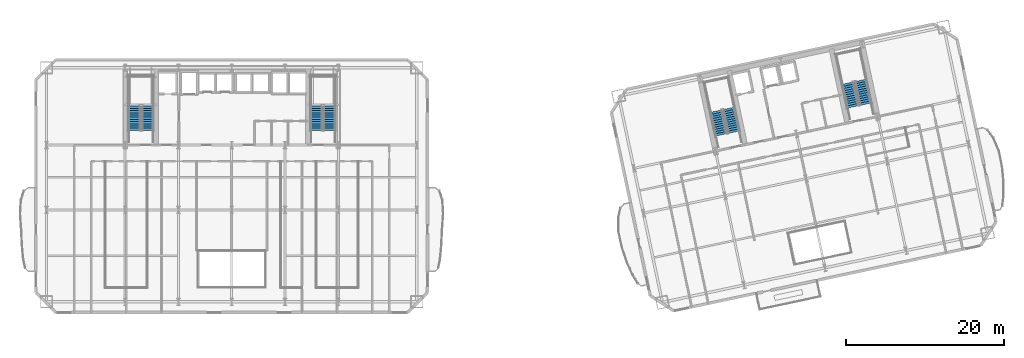
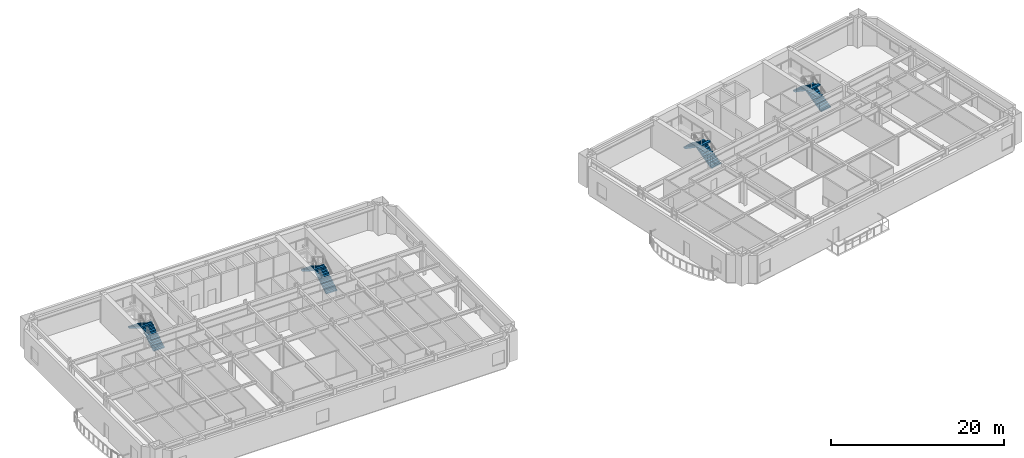
# One storey, part 10 of 15: 8 stair flights, 4 elements without a shape of their own.
"""IFC4 building model written with IfcOpenShell, lengths in metres."""

from ifc_helpers import new_model, si_unit, direction, frame, origin, place, context, subcontext, project, spatial, polyline, outline, extrude, material, type_object, element, aggregate, save


model = new_model("IFC4")

# Units and contexts
model_context = context("Model", 3, precision=1e-05, world=origin(), true_north=direction((0.0, 1.0)))
body_context = subcontext(model_context, "Body", "Model", "MODEL_VIEW")
ifc_project = project(units=[si_unit("LENGTHUNIT", "METRE"), si_unit("AREAUNIT", "SQUARE_METRE"), si_unit("VOLUMEUNIT", "CUBIC_METRE"), si_unit("PLANEANGLEUNIT", "RADIAN"), si_unit("MASSUNIT", "GRAM", prefix="KILO")], contexts=[model_context])

# Site, building, storey
site_placement = place(None, origin())
site = spatial("IfcSite", under=ifc_project, at=site_placement, CompositionType="ELEMENT")
building_placement = place(site_placement, origin())
building = spatial("IfcBuilding", under=site, at=building_placement, Name="Haevon Station Towers", CompositionType="ELEMENT")
storey_placement = place(building_placement, frame((0.0, 0.0, 73.5)))
storey = spatial("IfcBuildingStorey", under=building, at=storey_placement, Name="L19", CompositionType="ELEMENT", Elevation=73.5)

# Stair, stair flights
ifc_material = material(Name="Concrete C40/50", Category="concrete")
stair_type = type_object("IfcStairType", Name="STR-DL1450", PredefinedType="USERDEFINED", material=ifc_material)
stair_1_placement = place(storey_placement, origin())
stair_1 = element("IfcStair", 1, at=stair_1_placement, inside=storey, type_object=stair_type, Name="L19 Escape Stair ST1", ObjectType="TWO_RETURN_STAIR", PredefinedType="USERDEFINED")
stair_flight_type = type_object("IfcStairFlightType", Name="STF-ST1450", PredefinedType="STRAIGHT", material=ifc_material)
stair_flight_1_placement = place(storey_placement, frame((26.85498046875, 40.050048828125, 0.0), z_axis=(0.0, 0.0, 1.0), x_axis=(0.0, 1.0, 0.0)))
stair_flight_1 = element("IfcStairFlight", 2, at=stair_flight_1_placement, type_object=stair_flight_type, Name="L19 ST1 Flight 1", NumberOfRisers=12, NumberOfTreads=11, PredefinedType="STRAIGHT", RiserHeight=0.175, TreadLength=0.28, context=body_context, shape_type="SweptSolid", body=[
    extrude(outline(polyline([(0.0, 0.0), (0.0, 0.175048828125), (0.280029296875, 0.175048828125), (0.280029296875, 0.35009765625), (0.56005859375, 0.35009765625), (0.56005859375, 0.52490234375), (0.840087890625, 0.52490234375), (0.840087890625, 0.699951171875), (1.1201171875, 0.699951171875), (1.1201171875, 0.875), (1.39990234375, 0.875), (1.39990234375, 1.050048828125), (1.679931640625, 1.050048828125), (1.679931640625, 1.22509765625), (1.9599609375, 1.22509765625), (1.9599609375, 1.39990234375), (2.239990234375, 1.39990234375), (2.239990234375, 1.574951171875), (2.52001953125, 1.574951171875), (2.52001953125, 1.75), (2.800048828125, 1.75), (2.800048828125, 1.925048828125), (3.080078125, 1.925048828125), (3.080078125, 2.10009765625), (3.080078125, 1.736328125), (0.3017578125, 0.0), (0.0, 0.0)])), frame((0.0, 0.72509765625, 0.0), z_axis=(0.0, -1.0, 0.0), x_axis=(1.0, 0.0, 0.0)), (0.0, 0.0, 1.0), 1.449951171875),
])
stair_flight_2_placement = place(storey_placement, frame((25.205078125, 43.1298828125, 2.10009765625), z_axis=(0.0, 0.0, 1.0), x_axis=(0.0, -1.0, 0.0)))
stair_flight_2 = element("IfcStairFlight", 3, at=stair_flight_2_placement, type_object=stair_flight_type, Name="L19 ST1 Flight 2", NumberOfRisers=12, NumberOfTreads=11, PredefinedType="STRAIGHT", RiserHeight=0.175, TreadLength=0.28, context=body_context, shape_type="SweptSolid", body=[
    extrude(outline(polyline([(0.0, 0.0), (0.0, 0.175048828125), (0.280029296875, 0.175048828125), (0.280029296875, 0.35009765625), (0.56005859375, 0.35009765625), (0.56005859375, 0.52490234375), (0.840087890625, 0.52490234375), (0.840087890625, 0.699951171875), (1.1201171875, 0.699951171875), (1.1201171875, 0.875), (1.39990234375, 0.875), (1.39990234375, 1.050048828125), (1.679931640625, 1.050048828125), (1.679931640625, 1.22509765625), (1.9599609375, 1.22509765625), (1.9599609375, 1.39990234375), (2.239990234375, 1.39990234375), (2.239990234375, 1.574951171875), (2.52001953125, 1.574951171875), (2.52001953125, 1.75), (2.800048828125, 1.75), (2.800048828125, 1.925048828125), (3.080078125, 1.925048828125), (3.080078125, 2.10009765625), (3.080078125, 1.736328125), (0.3017578125, 0.0), (0.0, 0.0)])), frame((0.0, 0.72509765625, 0.0), z_axis=(0.0, -1.0, 0.0), x_axis=(1.0, 0.0, 0.0)), (0.0, 0.0, 1.0), 1.449951171875),
])
aggregate(stair_1, [stair_flight_1, stair_flight_2])

stair_2_placement = place(storey_placement, origin())
stair_2 = element("IfcStair", 4, at=stair_2_placement, inside=storey, type_object=stair_type, Name="L19 Escape Stair ST2", ObjectType="TWO_RETURN_STAIR", PredefinedType="USERDEFINED")
stair_flight_3_placement = place(storey_placement, frame((49.89501953125, 40.050048828125, 0.0), z_axis=(0.0, 0.0, 1.0), x_axis=(0.0, 1.0, 0.0)))
stair_flight_3 = element("IfcStairFlight", 5, at=stair_flight_3_placement, type_object=stair_flight_type, Name="L19 ST2 Flight 1", NumberOfRisers=12, NumberOfTreads=11, PredefinedType="STRAIGHT", RiserHeight=0.175, TreadLength=0.28, context=body_context, shape_type="SweptSolid", body=[
    extrude(outline(polyline([(0.0, 0.0), (0.0, 0.175048828125), (0.280029296875, 0.175048828125), (0.280029296875, 0.35009765625), (0.56005859375, 0.35009765625), (0.56005859375, 0.52490234375), (0.840087890625, 0.52490234375), (0.840087890625, 0.699951171875), (1.1201171875, 0.699951171875), (1.1201171875, 0.875), (1.39990234375, 0.875), (1.39990234375, 1.050048828125), (1.679931640625, 1.050048828125), (1.679931640625, 1.22509765625), (1.9599609375, 1.22509765625), (1.9599609375, 1.39990234375), (2.239990234375, 1.39990234375), (2.239990234375, 1.574951171875), (2.52001953125, 1.574951171875), (2.52001953125, 1.75), (2.800048828125, 1.75), (2.800048828125, 1.925048828125), (3.080078125, 1.925048828125), (3.080078125, 2.10009765625), (3.080078125, 1.736328125), (0.3017578125, 0.0), (0.0, 0.0)])), frame((0.0, 0.72509765625, 0.0), z_axis=(0.0, -1.0, 0.0), x_axis=(1.0, 0.0, 0.0)), (0.0, 0.0, 1.0), 1.449951171875),
])
stair_flight_4_placement = place(storey_placement, frame((48.2451171875, 43.1298828125, 2.10009765625), z_axis=(0.0, 0.0, 1.0), x_axis=(0.0, -1.0, 0.0)))
stair_flight_4 = element("IfcStairFlight", 6, at=stair_flight_4_placement, type_object=stair_flight_type, Name="L19 ST2 Flight 2", NumberOfRisers=12, NumberOfTreads=11, PredefinedType="STRAIGHT", RiserHeight=0.175, TreadLength=0.28, context=body_context, shape_type="SweptSolid", body=[
    extrude(outline(polyline([(0.0, 0.0), (0.0, 0.175048828125), (0.280029296875, 0.175048828125), (0.280029296875, 0.35009765625), (0.56005859375, 0.35009765625), (0.56005859375, 0.52490234375), (0.840087890625, 0.52490234375), (0.840087890625, 0.699951171875), (1.1201171875, 0.699951171875), (1.1201171875, 0.875), (1.39990234375, 0.875), (1.39990234375, 1.050048828125), (1.679931640625, 1.050048828125), (1.679931640625, 1.22509765625), (1.9599609375, 1.22509765625), (1.9599609375, 1.39990234375), (2.239990234375, 1.39990234375), (2.239990234375, 1.574951171875), (2.52001953125, 1.574951171875), (2.52001953125, 1.75), (2.800048828125, 1.75), (2.800048828125, 1.925048828125), (3.080078125, 1.925048828125), (3.080078125, 2.10009765625), (3.080078125, 1.736328125), (0.3017578125, 0.0), (0.0, 0.0)])), frame((0.0, 0.72509765625, 0.0), z_axis=(0.0, -1.0, 0.0), x_axis=(1.0, 0.0, 0.0)), (0.0, 0.0, 1.0), 1.449951171875),
])
aggregate(stair_2, [stair_flight_3, stair_flight_4])

stair_3_placement = place(storey_placement, origin())
stair_3 = element("IfcStair", 7, at=stair_3_placement, inside=storey, type_object=stair_type, Name="L19 Escape Stair ST3", ObjectType="TWO_RETURN_STAIR", PredefinedType="USERDEFINED")
stair_flight_5_placement = place(storey_placement, frame((101.1015625, 39.8330078125, 0.0), z_axis=(0.0, 0.0, 1.0), x_axis=(-0.207911690818, 0.978147600734, 0.0)))
stair_flight_5 = element("IfcStairFlight", 8, at=stair_flight_5_placement, type_object=stair_flight_type, Name="L19 ST3 Flight 1", NumberOfRisers=12, NumberOfTreads=11, PredefinedType="STRAIGHT", RiserHeight=0.175, TreadLength=0.28, context=body_context, shape_type="SweptSolid", body=[
    extrude(outline(polyline([(0.0, 0.0), (0.0, 0.175048828125), (0.280029296875, 0.175048828125), (0.280029296875, 0.35009765625), (0.56005859375, 0.35009765625), (0.56005859375, 0.52490234375), (0.840087890625, 0.52490234375), (0.840087890625, 0.699951171875), (1.1201171875, 0.699951171875), (1.1201171875, 0.875), (1.39990234375, 0.875), (1.39990234375, 1.050048828125), (1.679931640625, 1.050048828125), (1.679931640625, 1.22509765625), (1.9599609375, 1.22509765625), (1.9599609375, 1.39990234375), (2.239990234375, 1.39990234375), (2.239990234375, 1.574951171875), (2.52001953125, 1.574951171875), (2.52001953125, 1.75), (2.800048828125, 1.75), (2.800048828125, 1.925048828125), (3.080078125, 1.925048828125), (3.080078125, 2.10009765625), (3.080078125, 1.736328125), (0.3017578125, 0.0), (0.0, 0.0)])), frame((0.0, 0.72509765625, 0.0), z_axis=(0.0, -1.0, 0.0), x_axis=(1.0, 0.0, 0.0)), (0.0, 0.0, 1.0), 1.449951171875),
])
stair_flight_6_placement = place(storey_placement, frame((98.847412109375, 42.502685546875, 2.10009765625), z_axis=(0.0, 0.0, 1.0), x_axis=(0.207911690818, -0.978147600734, 0.0)))
stair_flight_6 = element("IfcStairFlight", 9, at=stair_flight_6_placement, type_object=stair_flight_type, Name="L19 ST3 Flight 2", NumberOfRisers=12, NumberOfTreads=11, PredefinedType="STRAIGHT", RiserHeight=0.175, TreadLength=0.28, context=body_context, shape_type="SweptSolid", body=[
    extrude(outline(polyline([(0.0, 0.0), (0.0, 0.175048828125), (0.280029296875, 0.175048828125), (0.280029296875, 0.35009765625), (0.56005859375, 0.35009765625), (0.56005859375, 0.52490234375), (0.840087890625, 0.52490234375), (0.840087890625, 0.699951171875), (1.1201171875, 0.699951171875), (1.1201171875, 0.875), (1.39990234375, 0.875), (1.39990234375, 1.050048828125), (1.679931640625, 1.050048828125), (1.679931640625, 1.22509765625), (1.9599609375, 1.22509765625), (1.9599609375, 1.39990234375), (2.239990234375, 1.39990234375), (2.239990234375, 1.574951171875), (2.52001953125, 1.574951171875), (2.52001953125, 1.75), (2.800048828125, 1.75), (2.800048828125, 1.925048828125), (3.080078125, 1.925048828125), (3.080078125, 2.10009765625), (3.080078125, 1.736328125), (0.3017578125, 0.0), (0.0, 0.0)])), frame((0.0, 0.72509765625, 0.0), z_axis=(0.0, -1.0, 0.0), x_axis=(1.0, 0.0, 0.0)), (0.0, 0.0, 1.0), 1.449951171875),
])
aggregate(stair_3, [stair_flight_5, stair_flight_6])

stair_4_placement = place(storey_placement, origin())
stair_4 = element("IfcStair", 10, at=stair_4_placement, inside=storey, type_object=stair_type, Name="L19 Escape Stair ST4", ObjectType="TWO_RETURN_STAIR", PredefinedType="USERDEFINED")
stair_flight_7_placement = place(storey_placement, frame((117.788818359375, 43.380126953125, 0.0), z_axis=(0.0, 0.0, 1.0), x_axis=(-0.207911690818, 0.978147600734, 0.0)))
stair_flight_7 = element("IfcStairFlight", 11, at=stair_flight_7_placement, type_object=stair_flight_type, Name="L19 ST4 Flight 1", NumberOfRisers=12, NumberOfTreads=11, PredefinedType="STRAIGHT", RiserHeight=0.175, TreadLength=0.28, context=body_context, shape_type="SweptSolid", body=[
    extrude(outline(polyline([(0.0, 0.0), (0.0, 0.175048828125), (0.280029296875, 0.175048828125), (0.280029296875, 0.35009765625), (0.56005859375, 0.35009765625), (0.56005859375, 0.52490234375), (0.840087890625, 0.52490234375), (0.840087890625, 0.699951171875), (1.1201171875, 0.699951171875), (1.1201171875, 0.875), (1.39990234375, 0.875), (1.39990234375, 1.050048828125), (1.679931640625, 1.050048828125), (1.679931640625, 1.22509765625), (1.9599609375, 1.22509765625), (1.9599609375, 1.39990234375), (2.239990234375, 1.39990234375), (2.239990234375, 1.574951171875), (2.52001953125, 1.574951171875), (2.52001953125, 1.75), (2.800048828125, 1.75), (2.800048828125, 1.925048828125), (3.080078125, 1.925048828125), (3.080078125, 2.10009765625), (3.080078125, 1.736328125), (0.3017578125, 0.0), (0.0, 0.0)])), frame((0.0, 0.72509765625, 0.0), z_axis=(0.0, -1.0, 0.0), x_axis=(1.0, 0.0, 0.0)), (0.0, 0.0, 1.0), 1.449951171875),
])
stair_flight_8_placement = place(storey_placement, frame((115.534423828125, 46.0498046875, 2.10009765625), z_axis=(0.0, 0.0, 1.0), x_axis=(0.207911690818, -0.978147600734, 0.0)))
stair_flight_8 = element("IfcStairFlight", 12, at=stair_flight_8_placement, type_object=stair_flight_type, Name="L19 ST4 Flight 2", NumberOfRisers=12, NumberOfTreads=11, PredefinedType="STRAIGHT", RiserHeight=0.175, TreadLength=0.28, context=body_context, shape_type="SweptSolid", body=[
    extrude(outline(polyline([(0.0, 0.0), (0.0, 0.175048828125), (0.280029296875, 0.175048828125), (0.280029296875, 0.35009765625), (0.56005859375, 0.35009765625), (0.56005859375, 0.52490234375), (0.840087890625, 0.52490234375), (0.840087890625, 0.699951171875), (1.1201171875, 0.699951171875), (1.1201171875, 0.875), (1.39990234375, 0.875), (1.39990234375, 1.050048828125), (1.679931640625, 1.050048828125), (1.679931640625, 1.22509765625), (1.9599609375, 1.22509765625), (1.9599609375, 1.39990234375), (2.239990234375, 1.39990234375), (2.239990234375, 1.574951171875), (2.52001953125, 1.574951171875), (2.52001953125, 1.75), (2.800048828125, 1.75), (2.800048828125, 1.925048828125), (3.080078125, 1.925048828125), (3.080078125, 2.10009765625), (3.080078125, 1.736328125), (0.3017578125, 0.0), (0.0, 0.0)])), frame((0.0, 0.72509765625, 0.0), z_axis=(0.0, -1.0, 0.0), x_axis=(1.0, 0.0, 0.0)), (0.0, 0.0, 1.0), 1.449951171875),
])
aggregate(stair_4, [stair_flight_7, stair_flight_8])

save(model, "model.ifc")
